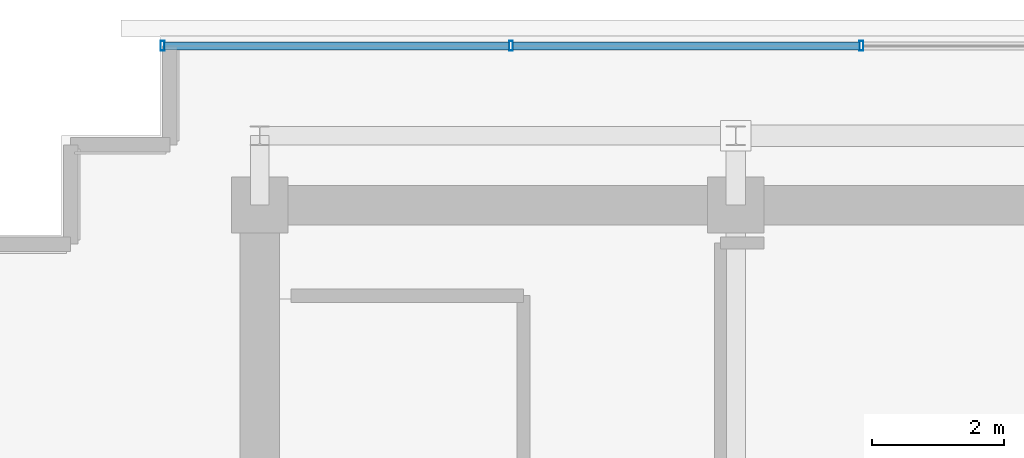
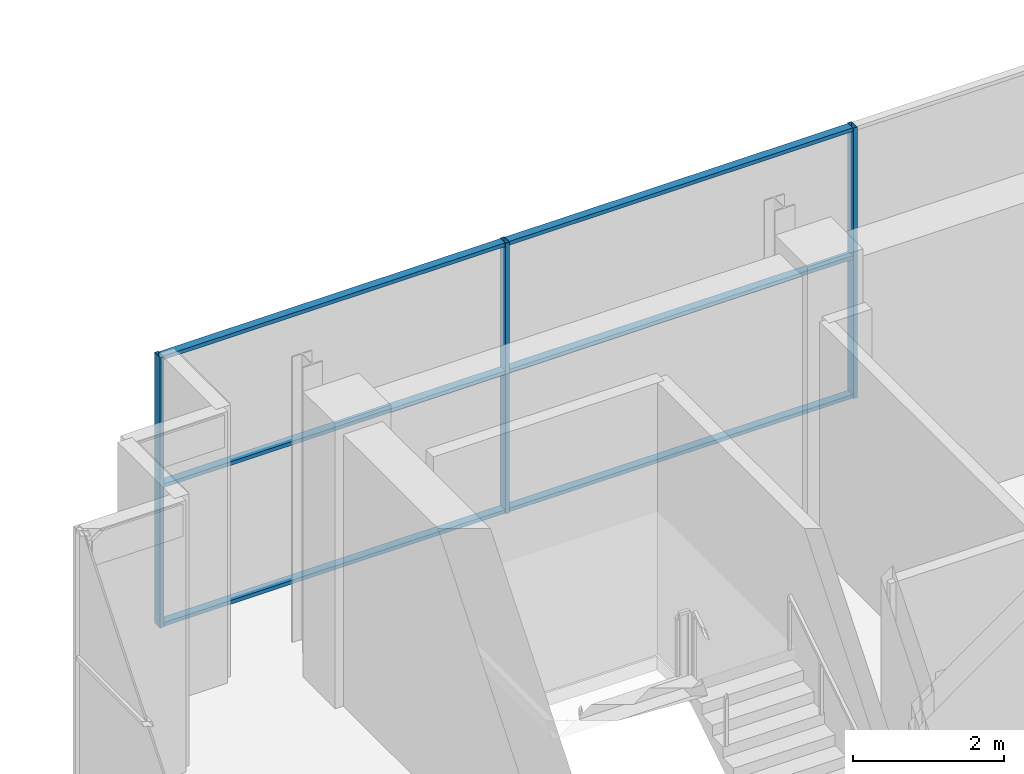
# One storey, part 19 of 26: 9 members, 1 element without a shape of its own.
"""IFC4 building model written with IfcOpenShell, lengths in metres."""

from ifc_helpers import new_model, si_unit, direction, frame, origin, origin_2d, place, context, subcontext, project, spatial, hollow_rectangle, extrude, source, transform, mapped, material, layer, layer_set, material_profile, profile_set, type_object, element, aggregate, save


model = new_model("IFC4")

# Units and contexts
model_context = context("Model", 3, precision=1e-05, world=origin(), true_north=direction((0.0, 1.0)))
body_context = subcontext(model_context, "Body", "Model", "MODEL_VIEW")
ifc_project = project(units=[si_unit("LENGTHUNIT", "METRE"), si_unit("AREAUNIT", "SQUARE_METRE"), si_unit("VOLUMEUNIT", "CUBIC_METRE"), si_unit("PLANEANGLEUNIT", "RADIAN"), si_unit("MASSUNIT", "GRAM", prefix="KILO")], contexts=[model_context])

# Site, building, storey
site_placement = place(None, origin())
site = spatial("IfcSite", under=ifc_project, at=site_placement, CompositionType="ELEMENT")
building_placement = place(site_placement, origin())
building = spatial("IfcBuilding", under=site, at=building_placement, Name="Zarnakvel Exchange Tower", CompositionType="ELEMENT")
storey_placement = place(building_placement, frame((0.0, 0.0, 285.39990234375)))
storey = spatial("IfcBuildingStorey", under=building, at=storey_placement, Name="Crown L80", CompositionType="ELEMENT", Elevation=285.39990234375)

# Curtain wall, members
ifc_material = material(Name="Architectural Bronze Anodised Aluminium", Category="aluminium")
ifc_layer = layer(ifc_material, 0.14990234375)
ifc_layer_set = layer_set([ifc_layer], Name="Architectural Bronze Anodised Aluminium")
curtain_wall_type = type_object("IfcCurtainWallType", Name="CW-07", PredefinedType="NOTDEFINED", material=ifc_layer_set)
curtain_wall_placement = place(storey_placement, origin())
curtain_wall = element("IfcCurtainWall", 1, at=curtain_wall_placement, inside=storey, type_object=curtain_wall_type, Name="Crown L80 Curtain Wall CW-Crown L80-N (CW-07)", PredefinedType="NOTDEFINED")
ifc_material_profile_1 = material_profile(ifc_material, hollow_rectangle(XDim=0.14990234375, YDim=0.06005859375, WallThickness=0.00390625, at=origin_2d()))
ifc_profile_set_1 = profile_set([ifc_material_profile_1], Name="Architectural Bronze Anodised Aluminium")
member_type_1 = type_object("IfcMemberType", Name="CWM-07", PredefinedType="MULLION", material=ifc_profile_set_1)
shared_shape_1 = source(origin(), body_context, "Body", "SweptSolid", [
    extrude(hollow_rectangle(XDim=0.14990234375, YDim=0.06005859375, WallThickness=0.00390625, at=origin_2d()), origin(), (0.0, 0.0, 1.0), 4.360107421875),
])
member_1_placement = place(storey_placement, frame((-15.8701171875, 15.909912109375, 0.0), z_axis=(0.0, 0.0, 1.0), x_axis=(0.0, 1.0, 0.0)))
member_1 = element("IfcMember", 2, at=member_1_placement, type_object=member_type_1, Name="CW-07 mullion 1", PredefinedType="MULLION", context=body_context, shape_type="MappedRepresentation", body=[
    mapped(shared_shape_1, transform((0.0, 0.0, 0.0), x_axis=(1.0, 0.0, 0.0), y_axis=(0.0, 1.0, 0.0), z_axis=(0.0, 0.0, 1.0), scale=1.0)),
])
member_2_placement = place(storey_placement, frame((-10.60009765625, 15.909912109375, 0.0), z_axis=(0.0, 0.0, 1.0), x_axis=(0.0, 1.0, 0.0)))
member_2 = element("IfcMember", 3, at=member_2_placement, type_object=member_type_1, Name="CW-07 mullion 2", PredefinedType="MULLION", context=body_context, shape_type="MappedRepresentation", body=[
    mapped(shared_shape_1, transform((0.0, 0.0, 0.0), x_axis=(1.0, 0.0, 0.0), y_axis=(0.0, 1.0, 0.0), z_axis=(0.0, 0.0, 1.0), scale=1.0)),
])
member_3_placement = place(storey_placement, frame((-5.300048828125, 15.909912109375, 0.0), z_axis=(0.0, 0.0, 1.0), x_axis=(0.0, 1.0, 0.0)))
member_3 = element("IfcMember", 4, at=member_3_placement, type_object=member_type_1, Name="CW-07 mullion 3", PredefinedType="MULLION", context=body_context, shape_type="MappedRepresentation", body=[
    mapped(shared_shape_1, transform((0.0, 0.0, 0.0), x_axis=(1.0, 0.0, 0.0), y_axis=(0.0, 1.0, 0.0), z_axis=(0.0, 0.0, 1.0), scale=1.0)),
])
ifc_material_profile_2 = material_profile(ifc_material, hollow_rectangle(XDim=0.1201171875, YDim=0.06005859375, WallThickness=0.00390625, at=origin_2d()))
ifc_profile_set_2 = profile_set([ifc_material_profile_2], Name="Architectural Bronze Anodised Aluminium")
member_type_2 = type_object("IfcMemberType", Name="CWT-07", PredefinedType="USERDEFINED", material=ifc_profile_set_2)
shared_shape_2 = source(origin(), body_context, "Body", "SweptSolid", [
    extrude(hollow_rectangle(XDim=0.1201171875, YDim=0.06005859375, WallThickness=0.00390625, at=origin_2d()), origin(), (0.0, 0.0, 1.0), 5.210205078125),
])
member_4_placement = place(storey_placement, frame((-15.840087890625, 15.909912109375, 0.030029296875), z_axis=(1.0, 0.0, 0.0), x_axis=(0.0, 1.0, 0.0)))
member_4 = element("IfcMember", 5, at=member_4_placement, type_object=member_type_2, Name="CW-07 transom 1.1", ObjectType="TRANSOM", PredefinedType="USERDEFINED", context=body_context, shape_type="MappedRepresentation", body=[
    mapped(shared_shape_2, transform((0.0, 0.0, 0.0), x_axis=(1.0, 0.0, 0.0), y_axis=(0.0, 1.0, 0.0), z_axis=(0.0, 0.0, 1.0), scale=1.0)),
])
member_5_placement = place(storey_placement, frame((-15.840087890625, 15.909912109375, 2.267333984375), z_axis=(1.0, 0.0, 0.0), x_axis=(0.0, 1.0, 0.0)))
member_5 = element("IfcMember", 6, at=member_5_placement, type_object=member_type_2, Name="CW-07 transom 1.2", ObjectType="TRANSOM", PredefinedType="USERDEFINED", context=body_context, shape_type="MappedRepresentation", body=[
    mapped(shared_shape_2, transform((0.0, 0.0, 0.0), x_axis=(1.0, 0.0, 0.0), y_axis=(0.0, 1.0, 0.0), z_axis=(0.0, 0.0, 1.0), scale=1.0)),
])
member_6_placement = place(storey_placement, frame((-15.840087890625, 15.909912109375, 4.330078125), z_axis=(1.0, 0.0, 0.0), x_axis=(0.0, 1.0, 0.0)))
member_6 = element("IfcMember", 7, at=member_6_placement, type_object=member_type_2, Name="CW-07 transom 1.3", ObjectType="TRANSOM", PredefinedType="USERDEFINED", context=body_context, shape_type="MappedRepresentation", body=[
    mapped(shared_shape_2, transform((0.0, 0.0, 0.0), x_axis=(1.0, 0.0, 0.0), y_axis=(0.0, 1.0, 0.0), z_axis=(0.0, 0.0, 1.0), scale=1.0)),
])
shared_shape_3 = source(origin(), body_context, "Body", "SweptSolid", [
    extrude(hollow_rectangle(XDim=0.1201171875, YDim=0.06005859375, WallThickness=0.00390625, at=origin_2d()), origin(), (0.0, 0.0, 1.0), 5.239990234375),
])
member_7_placement = place(storey_placement, frame((-10.570068359375, 15.909912109375, 0.030029296875), z_axis=(1.0, 0.0, 0.0), x_axis=(0.0, 1.0, 0.0)))
member_7 = element("IfcMember", 8, at=member_7_placement, type_object=member_type_2, Name="CW-07 transom 2.1", ObjectType="TRANSOM", PredefinedType="USERDEFINED", context=body_context, shape_type="MappedRepresentation", body=[
    mapped(shared_shape_3, transform((0.0, 0.0, 0.0), x_axis=(1.0, 0.0, 0.0), y_axis=(0.0, 1.0, 0.0), z_axis=(0.0, 0.0, 1.0), scale=1.0)),
])
member_8_placement = place(storey_placement, frame((-10.570068359375, 15.909912109375, 2.267333984375), z_axis=(1.0, 0.0, 0.0), x_axis=(0.0, 1.0, 0.0)))
member_8 = element("IfcMember", 9, at=member_8_placement, type_object=member_type_2, Name="CW-07 transom 2.2", ObjectType="TRANSOM", PredefinedType="USERDEFINED", context=body_context, shape_type="MappedRepresentation", body=[
    mapped(shared_shape_3, transform((0.0, 0.0, 0.0), x_axis=(1.0, 0.0, 0.0), y_axis=(0.0, 1.0, 0.0), z_axis=(0.0, 0.0, 1.0), scale=1.0)),
])
member_9_placement = place(storey_placement, frame((-10.570068359375, 15.909912109375, 4.330078125), z_axis=(1.0, 0.0, 0.0), x_axis=(0.0, 1.0, 0.0)))
member_9 = element("IfcMember", 10, at=member_9_placement, type_object=member_type_2, Name="CW-07 transom 2.3", ObjectType="TRANSOM", PredefinedType="USERDEFINED", context=body_context, shape_type="MappedRepresentation", body=[
    mapped(shared_shape_3, transform((0.0, 0.0, 0.0), x_axis=(1.0, 0.0, 0.0), y_axis=(0.0, 1.0, 0.0), z_axis=(0.0, 0.0, 1.0), scale=1.0)),
])
aggregate(curtain_wall, [member_1, member_2, member_3, member_4, member_5, member_6, member_7, member_8, member_9])

save(model, "model.ifc")
